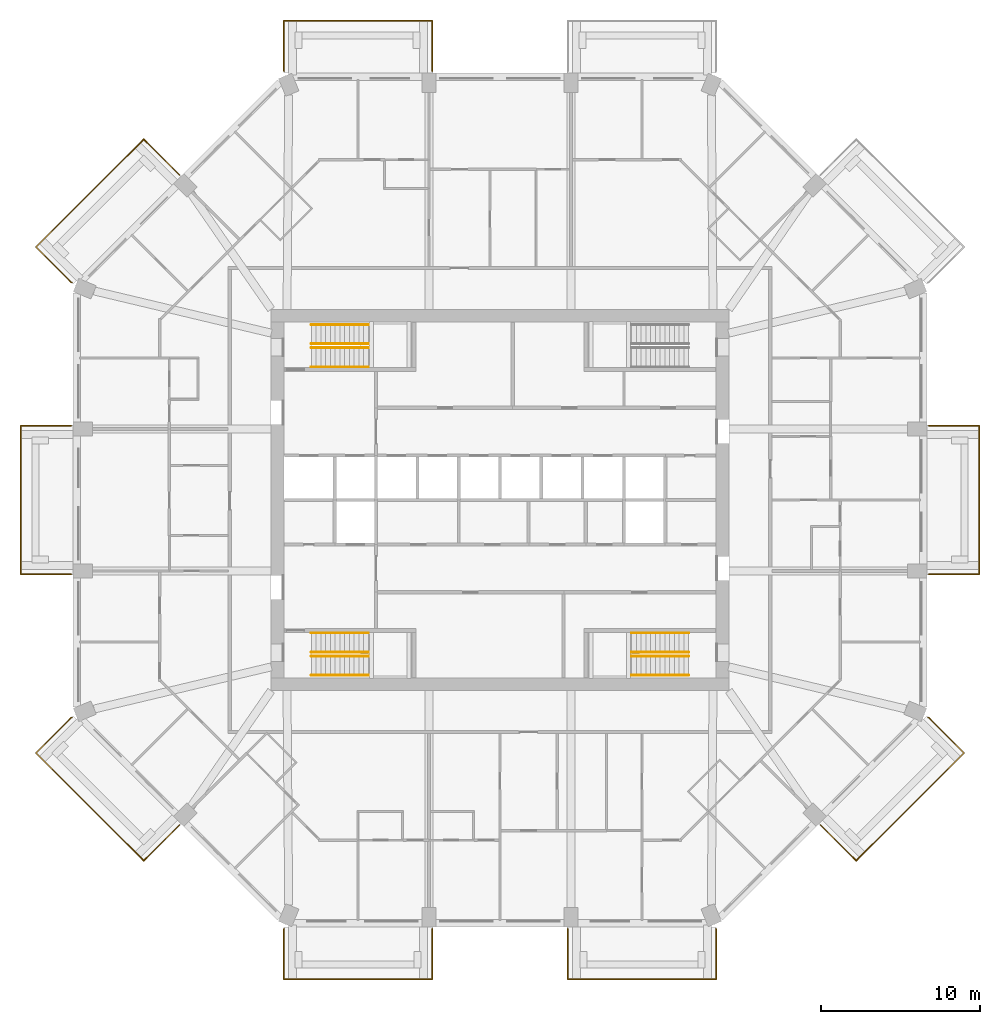
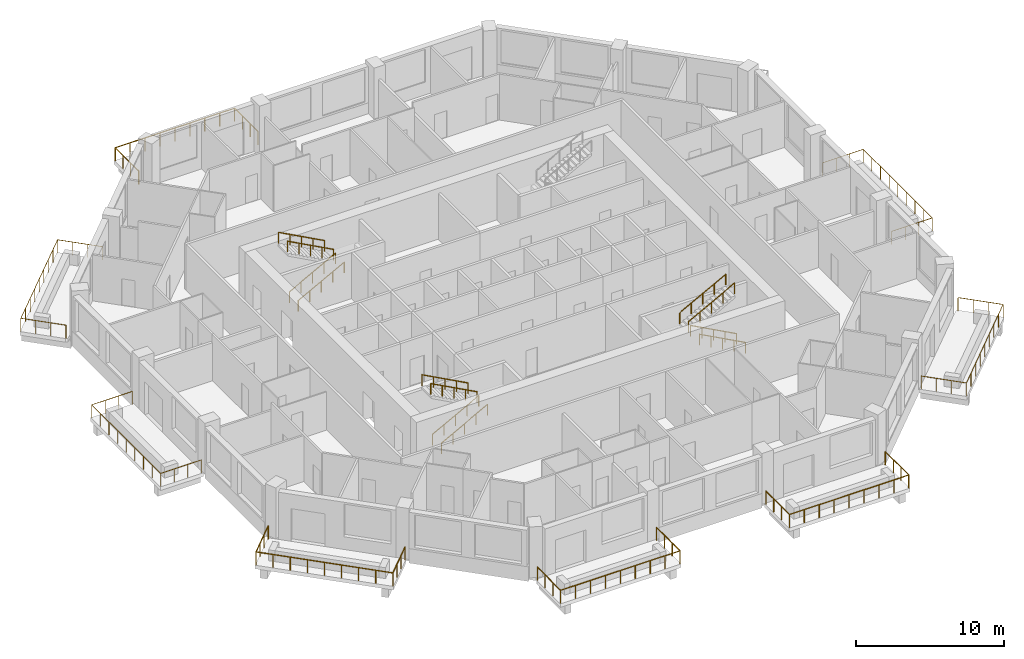
# One storey, part 12 of 13: 20 railings.
"""IFC4 building model written with IfcOpenShell, lengths in metres."""

from ifc_helpers import new_model, si_unit, direction, frame, origin, origin_2d, place, context, subcontext, project, spatial, circle, extrude, material, constituent, constituent_set, type_object, element, save


model = new_model("IFC4")

# Units and contexts
model_context = context("Model", 3, precision=1e-05, world=origin(), true_north=direction((0.0, 1.0)))
body_context = subcontext(model_context, "Body", "Model", "MODEL_VIEW")
ifc_project = project(units=[si_unit("LENGTHUNIT", "METRE"), si_unit("AREAUNIT", "SQUARE_METRE"), si_unit("VOLUMEUNIT", "CUBIC_METRE"), si_unit("PLANEANGLEUNIT", "RADIAN"), si_unit("MASSUNIT", "GRAM", prefix="KILO")], contexts=[model_context])

# Site, building, storey
site_placement = place(None, origin())
site = spatial("IfcSite", under=ifc_project, at=site_placement, CompositionType="ELEMENT")
building_placement = place(site_placement, origin())
building = spatial("IfcBuilding", under=site, at=building_placement, Name="Msitu Wima Residences", CompositionType="ELEMENT")
storey_placement = place(building_placement, frame((0.0, 0.0, 152.699951171875)))
storey = spatial("IfcBuildingStorey", under=building, at=storey_placement, Name="L35", CompositionType="ELEMENT", Elevation=152.699951171875)

# Railings
ifc_material_1 = material(Name="Steel S355", Category="steel")
ifc_constituent_1 = constituent(ifc_material_1, Name="Steel S355")
ifc_material_2 = material(Name="Weathering patina")
ifc_constituent_2 = constituent(ifc_material_2, Name="Weathering patina")
ifc_constituent_set_1 = constituent_set(constituents=[ifc_constituent_1, ifc_constituent_2], Name="Steel S355")
railing_type_1 = type_object("IfcRailingType", Name="Balcony guard GR1100", PredefinedType="GUARDRAIL", material=ifc_constituent_set_1)
railing_1_placement = place(storey_placement, frame((26.97998046875, 4.668701171875, 0.0)))
element("IfcRailing", 1, at=railing_1_placement, inside=storey, type_object=railing_type_1, Name="Balcony guard E1 L35", PredefinedType="GUARDRAIL", context=body_context, shape_type="SweptSolid", body=[
    extrude(circle(Radius=0.02392578125, at=origin_2d()), frame((0.0, 0.0, 1.076171875), z_axis=(1.0, 0.0, 0.0), x_axis=(0.0, 1.0, 0.0)), (0.0, 0.0, 1.0), 3.169921875),
    extrude(circle(Radius=0.02392578125, at=origin_2d()), frame((3.169921875, 0.0, 1.076171875), z_axis=(0.0, -1.0, 0.0), x_axis=(1.0, 0.0, 0.0)), (0.0, 0.0, 1.0), 9.33740234375),
    extrude(circle(Radius=0.02392578125, at=origin_2d()), frame((3.169921875, -9.33740234375, 1.076171875), z_axis=(-1.0, 0.0, 0.0), x_axis=(0.0, -1.0, 0.0)), (0.0, 0.0, 1.0), 3.169921875),
    extrude(circle(Radius=0.02099609375, at=origin_2d()), origin(), (0.0, 0.0, 1.0), 1.052001953125),
    extrude(circle(Radius=0.02099609375, at=origin_2d()), frame((1.056640625, 0.0, 0.0)), (0.0, 0.0, 1.0), 1.052001953125),
    extrude(circle(Radius=0.02099609375, at=origin_2d()), frame((2.11328125, 0.0, 0.0)), (0.0, 0.0, 1.0), 1.052001953125),
    extrude(circle(Radius=0.02099609375, at=origin_2d()), frame((3.169921875, 0.0, 0.0)), (0.0, 0.0, 1.0), 1.052001953125),
    extrude(circle(Radius=0.02099609375, at=origin_2d()), frame((3.169921875, -1.167236328125, 0.0)), (0.0, 0.0, 1.0), 1.052001953125),
    extrude(circle(Radius=0.02099609375, at=origin_2d()), frame((3.169921875, -2.33447265625, 0.0)), (0.0, 0.0, 1.0), 1.052001953125),
    extrude(circle(Radius=0.02099609375, at=origin_2d()), frame((3.169921875, -3.50146484375, 0.0)), (0.0, 0.0, 1.0), 1.052001953125),
    extrude(circle(Radius=0.02099609375, at=origin_2d()), frame((3.169921875, -4.668701171875, 0.0)), (0.0, 0.0, 1.0), 1.052001953125),
    extrude(circle(Radius=0.02099609375, at=origin_2d()), frame((3.169921875, -5.8359375, 0.0)), (0.0, 0.0, 1.0), 1.052001953125),
    extrude(circle(Radius=0.02099609375, at=origin_2d()), frame((3.169921875, -7.0029296875, 0.0)), (0.0, 0.0, 1.0), 1.052001953125),
    extrude(circle(Radius=0.02099609375, at=origin_2d()), frame((3.169921875, -8.170166015625, 0.0)), (0.0, 0.0, 1.0), 1.052001953125),
    extrude(circle(Radius=0.02099609375, at=origin_2d()), frame((3.169921875, -9.33740234375, 0.0)), (0.0, 0.0, 1.0), 1.052001953125),
    extrude(circle(Radius=0.02099609375, at=origin_2d()), frame((2.11328125, -9.33740234375, 0.0)), (0.0, 0.0, 1.0), 1.052001953125),
    extrude(circle(Radius=0.02099609375, at=origin_2d()), frame((1.056640625, -9.33740234375, 0.0)), (0.0, 0.0, 1.0), 1.052001953125),
    extrude(circle(Radius=0.02099609375, at=origin_2d()), frame((0.0, -9.33740234375, 0.0)), (0.0, 0.0, 1.0), 1.052001953125),
])
railing_2_placement = place(storey_placement, frame((-13.592041015625, 26.97998046875, 0.0)))
element("IfcRailing", 2, at=railing_2_placement, inside=storey, type_object=railing_type_1, Name="Balcony guard N2 L35", PredefinedType="GUARDRAIL", context=body_context, shape_type="SweptSolid", body=[
    extrude(circle(Radius=0.02392578125, at=origin_2d()), frame((0.0, 0.0, 1.076171875), z_axis=(-0.384136806859, 0.923276184907, 0.0), x_axis=(-0.923276184907, -0.384136806859, 0.0)), (0.0, 0.0, 1.0), 0.0361328125),
    extrude(circle(Radius=0.02392578125, at=origin_2d()), frame((-0.013916015625, 0.033447265625, 1.076171875), z_axis=(0.0, 1.0, 0.0), x_axis=(-1.0, 0.0, 0.0)), (0.0, 0.0, 1.0), 3.136474609375),
    extrude(circle(Radius=0.02392578125, at=origin_2d()), frame((-0.013916015625, 3.169921875, 1.076171875), z_axis=(1.0, 0.0, 0.0), x_axis=(0.0, 1.0, 0.0)), (0.0, 0.0, 1.0), 9.33740234375),
    extrude(circle(Radius=0.02392578125, at=origin_2d()), frame((9.323486328125, 3.169921875, 1.076171875), z_axis=(0.0, -1.0, 0.0), x_axis=(1.0, 0.0, 0.0)), (0.0, 0.0, 1.0), 3.169921875),
    extrude(circle(Radius=0.02099609375, at=origin_2d()), origin(), (0.0, 0.0, 1.0), 1.052001953125),
    extrude(circle(Radius=0.02099609375, at=origin_2d()), frame((-0.013916015625, 0.033447265625, 0.0)), (0.0, 0.0, 1.0), 1.052001953125),
    extrude(circle(Radius=0.02099609375, at=origin_2d()), frame((-0.013916015625, 1.078857421875, 0.0)), (0.0, 0.0, 1.0), 1.052001953125),
    extrude(circle(Radius=0.02099609375, at=origin_2d()), frame((-0.013916015625, 2.12451171875, 0.0)), (0.0, 0.0, 1.0), 1.052001953125),
    extrude(circle(Radius=0.02099609375, at=origin_2d()), frame((-0.013916015625, 3.169921875, 0.0)), (0.0, 0.0, 1.0), 1.052001953125),
    extrude(circle(Radius=0.02099609375, at=origin_2d()), frame((1.1533203125, 3.169921875, 0.0)), (0.0, 0.0, 1.0), 1.052001953125),
    extrude(circle(Radius=0.02099609375, at=origin_2d()), frame((2.3203125, 3.169921875, 0.0)), (0.0, 0.0, 1.0), 1.052001953125),
    extrude(circle(Radius=0.02099609375, at=origin_2d()), frame((3.487548828125, 3.169921875, 0.0)), (0.0, 0.0, 1.0), 1.052001953125),
    extrude(circle(Radius=0.02099609375, at=origin_2d()), frame((4.65478515625, 3.169921875, 0.0)), (0.0, 0.0, 1.0), 1.052001953125),
    extrude(circle(Radius=0.02099609375, at=origin_2d()), frame((5.822021484375, 3.169921875, 0.0)), (0.0, 0.0, 1.0), 1.052001953125),
    extrude(circle(Radius=0.02099609375, at=origin_2d()), frame((6.9892578125, 3.169921875, 0.0)), (0.0, 0.0, 1.0), 1.052001953125),
    extrude(circle(Radius=0.02099609375, at=origin_2d()), frame((8.15625, 3.169921875, 0.0)), (0.0, 0.0, 1.0), 1.052001953125),
    extrude(circle(Radius=0.02099609375, at=origin_2d()), frame((9.323486328125, 3.169921875, 0.0)), (0.0, 0.0, 1.0), 1.052001953125),
    extrude(circle(Radius=0.02099609375, at=origin_2d()), frame((9.323486328125, 2.11328125, 0.0)), (0.0, 0.0, 1.0), 1.052001953125),
    extrude(circle(Radius=0.02099609375, at=origin_2d()), frame((9.323486328125, 1.056640625, 0.0)), (0.0, 0.0, 1.0), 1.052001953125),
    extrude(circle(Radius=0.02099609375, at=origin_2d()), frame((9.323486328125, 0.0, 0.0)), (0.0, 0.0, 1.0), 1.052001953125),
])
railing_3_placement = place(storey_placement, frame((-26.941650390625, 13.684326171875, 0.0)))
element("IfcRailing", 3, at=railing_3_placement, inside=storey, type_object=railing_type_1, Name="Balcony guard NW1 L35", PredefinedType="GUARDRAIL", context=body_context, shape_type="SweptSolid", body=[
    extrude(circle(Radius=0.02392578125, at=origin_2d()), frame((0.0, 0.0, 1.076171875), z_axis=(-0.92426142649, 0.38176015442, 0.0), x_axis=(-0.38176015442, -0.92426142649, 0.0)), (0.0, 0.0, 1.0), 0.036376953125),
    extrude(circle(Radius=0.02392578125, at=origin_2d()), frame((-0.03369140625, 0.013916015625, 1.076171875), z_axis=(-0.707106781187, 0.707106781187, 0.0), x_axis=(-0.707106781187, -0.707106781187, 0.0)), (0.0, 0.0, 1.0), 3.136474609375),
    extrude(circle(Radius=0.02392578125, at=origin_2d()), frame((-2.25146484375, 2.231689453125, 1.076171875), z_axis=(0.707106781187, 0.707106781187, 0.0), x_axis=(-0.707106781187, 0.707106781187, 0.0)), (0.0, 0.0, 1.0), 9.58837890625),
    extrude(circle(Radius=0.02392578125, at=origin_2d()), frame((4.528564453125, 9.01171875, 1.076171875), z_axis=(0.707106781187, -0.707106781187, 0.0), x_axis=(0.707106781187, 0.707106781187, 0.0)), (0.0, 0.0, 1.0), 3.169921875),
    extrude(circle(Radius=0.02099609375, at=origin_2d()), origin(), (0.0, 0.0, 1.0), 1.052001953125),
    extrude(circle(Radius=0.02099609375, at=origin_2d()), frame((-0.03369140625, 0.013916015625, 0.0)), (0.0, 0.0, 1.0), 1.052001953125),
    extrude(circle(Radius=0.02099609375, at=origin_2d()), frame((-0.77294921875, 0.753173828125, 0.0)), (0.0, 0.0, 1.0), 1.052001953125),
    extrude(circle(Radius=0.02099609375, at=origin_2d()), frame((-1.51220703125, 1.492431640625, 0.0)), (0.0, 0.0, 1.0), 1.052001953125),
    extrude(circle(Radius=0.02099609375, at=origin_2d()), frame((-2.25146484375, 2.231689453125, 0.0)), (0.0, 0.0, 1.0), 1.052001953125),
    extrude(circle(Radius=0.02099609375, at=origin_2d()), frame((-1.404052734375, 3.0791015625, 0.0)), (0.0, 0.0, 1.0), 1.052001953125),
    extrude(circle(Radius=0.02099609375, at=origin_2d()), frame((-0.556396484375, 3.9267578125, 0.0)), (0.0, 0.0, 1.0), 1.052001953125),
    extrude(circle(Radius=0.02099609375, at=origin_2d()), frame((0.291015625, 4.774169921875, 0.0)), (0.0, 0.0, 1.0), 1.052001953125),
    extrude(circle(Radius=0.02099609375, at=origin_2d()), frame((1.138671875, 5.62158203125, 0.0)), (0.0, 0.0, 1.0), 1.052001953125),
    extrude(circle(Radius=0.02099609375, at=origin_2d()), frame((1.986083984375, 6.46923828125, 0.0)), (0.0, 0.0, 1.0), 1.052001953125),
    extrude(circle(Radius=0.02099609375, at=origin_2d()), frame((2.83349609375, 7.316650390625, 0.0)), (0.0, 0.0, 1.0), 1.052001953125),
    extrude(circle(Radius=0.02099609375, at=origin_2d()), frame((3.68115234375, 8.164306640625, 0.0)), (0.0, 0.0, 1.0), 1.052001953125),
    extrude(circle(Radius=0.02099609375, at=origin_2d()), frame((4.528564453125, 9.01171875, 0.0)), (0.0, 0.0, 1.0), 1.052001953125),
    extrude(circle(Radius=0.02099609375, at=origin_2d()), frame((5.275634765625, 8.2646484375, 0.0)), (0.0, 0.0, 1.0), 1.052001953125),
    extrude(circle(Radius=0.02099609375, at=origin_2d()), frame((6.02294921875, 7.517333984375, 0.0)), (0.0, 0.0, 1.0), 1.052001953125),
    extrude(circle(Radius=0.02099609375, at=origin_2d()), frame((6.77001953125, 6.770263671875, 0.0)), (0.0, 0.0, 1.0), 1.052001953125),
])
railing_4_placement = place(storey_placement, frame((-26.97998046875, -4.668701171875, 0.0)))
element("IfcRailing", 4, at=railing_4_placement, inside=storey, type_object=railing_type_1, Name="Balcony guard W1 L35", PredefinedType="GUARDRAIL", context=body_context, shape_type="SweptSolid", body=[
    extrude(circle(Radius=0.02392578125, at=origin_2d()), frame((0.0, 0.0, 1.076171875), z_axis=(-1.0, 0.0, 0.0), x_axis=(0.0, -1.0, 0.0)), (0.0, 0.0, 1.0), 3.169921875),
    extrude(circle(Radius=0.02392578125, at=origin_2d()), frame((-3.169921875, 0.0, 1.076171875), z_axis=(0.0, 1.0, 0.0), x_axis=(-1.0, 0.0, 0.0)), (0.0, 0.0, 1.0), 9.33740234375),
    extrude(circle(Radius=0.02392578125, at=origin_2d()), frame((-3.169921875, 9.33740234375, 1.076171875), z_axis=(1.0, 0.0, 0.0), x_axis=(0.0, 1.0, 0.0)), (0.0, 0.0, 1.0), 3.169921875),
    extrude(circle(Radius=0.02099609375, at=origin_2d()), origin(), (0.0, 0.0, 1.0), 1.052001953125),
    extrude(circle(Radius=0.02099609375, at=origin_2d()), frame((-1.056640625, 0.0, 0.0)), (0.0, 0.0, 1.0), 1.052001953125),
    extrude(circle(Radius=0.02099609375, at=origin_2d()), frame((-2.11328125, 0.0, 0.0)), (0.0, 0.0, 1.0), 1.052001953125),
    extrude(circle(Radius=0.02099609375, at=origin_2d()), frame((-3.169921875, 0.0, 0.0)), (0.0, 0.0, 1.0), 1.052001953125),
    extrude(circle(Radius=0.02099609375, at=origin_2d()), frame((-3.169921875, 1.167236328125, 0.0)), (0.0, 0.0, 1.0), 1.052001953125),
    extrude(circle(Radius=0.02099609375, at=origin_2d()), frame((-3.169921875, 2.33447265625, 0.0)), (0.0, 0.0, 1.0), 1.052001953125),
    extrude(circle(Radius=0.02099609375, at=origin_2d()), frame((-3.169921875, 3.50146484375, 0.0)), (0.0, 0.0, 1.0), 1.052001953125),
    extrude(circle(Radius=0.02099609375, at=origin_2d()), frame((-3.169921875, 4.668701171875, 0.0)), (0.0, 0.0, 1.0), 1.052001953125),
    extrude(circle(Radius=0.02099609375, at=origin_2d()), frame((-3.169921875, 5.8359375, 0.0)), (0.0, 0.0, 1.0), 1.052001953125),
    extrude(circle(Radius=0.02099609375, at=origin_2d()), frame((-3.169921875, 7.0029296875, 0.0)), (0.0, 0.0, 1.0), 1.052001953125),
    extrude(circle(Radius=0.02099609375, at=origin_2d()), frame((-3.169921875, 8.170166015625, 0.0)), (0.0, 0.0, 1.0), 1.052001953125),
    extrude(circle(Radius=0.02099609375, at=origin_2d()), frame((-3.169921875, 9.33740234375, 0.0)), (0.0, 0.0, 1.0), 1.052001953125),
    extrude(circle(Radius=0.02099609375, at=origin_2d()), frame((-2.11328125, 9.33740234375, 0.0)), (0.0, 0.0, 1.0), 1.052001953125),
    extrude(circle(Radius=0.02099609375, at=origin_2d()), frame((-1.056640625, 9.33740234375, 0.0)), (0.0, 0.0, 1.0), 1.052001953125),
    extrude(circle(Radius=0.02099609375, at=origin_2d()), frame((0.0, 9.33740234375, 0.0)), (0.0, 0.0, 1.0), 1.052001953125),
])
railing_5_placement = place(storey_placement, frame((-20.171630859375, -20.45458984375, 0.0)))
element("IfcRailing", 5, at=railing_5_placement, inside=storey, type_object=railing_type_1, Name="Balcony guard SW0 L35", PredefinedType="GUARDRAIL", context=body_context, shape_type="SweptSolid", body=[
    extrude(circle(Radius=0.02392578125, at=origin_2d()), frame((0.0, 0.0, 1.076171875), z_axis=(-0.707106781187, -0.707106781187, 0.0), x_axis=(0.707106781187, -0.707106781187, 0.0)), (0.0, 0.0, 1.0), 3.169921875),
    extrude(circle(Radius=0.02392578125, at=origin_2d()), frame((-2.241455078125, -2.241455078125, 1.076171875), z_axis=(-0.707106781187, 0.707106781187, 0.0), x_axis=(-0.707106781187, -0.707106781187, 0.0)), (0.0, 0.0, 1.0), 9.58837890625),
    extrude(circle(Radius=0.02392578125, at=origin_2d()), frame((-9.021484375, 4.53857421875, 1.076171875), z_axis=(0.707106781187, 0.707106781187, 0.0), x_axis=(-0.707106781187, 0.707106781187, 0.0)), (0.0, 0.0, 1.0), 3.136474609375),
    extrude(circle(Radius=0.02392578125, at=origin_2d()), frame((-6.8037109375, 6.75634765625, 1.076171875), z_axis=(0.92426142649, 0.38176015442, 0.0), x_axis=(-0.38176015442, 0.92426142649, 0.0)), (0.0, 0.0, 1.0), 0.036376953125),
    extrude(circle(Radius=0.02099609375, at=origin_2d()), origin(), (0.0, 0.0, 1.0), 1.052001953125),
    extrude(circle(Radius=0.02099609375, at=origin_2d()), frame((-0.7470703125, -0.7470703125, 0.0)), (0.0, 0.0, 1.0), 1.052001953125),
    extrude(circle(Radius=0.02099609375, at=origin_2d()), frame((-1.494384765625, -1.494384765625, 0.0)), (0.0, 0.0, 1.0), 1.052001953125),
    extrude(circle(Radius=0.02099609375, at=origin_2d()), frame((-2.241455078125, -2.241455078125, 0.0)), (0.0, 0.0, 1.0), 1.052001953125),
    extrude(circle(Radius=0.02099609375, at=origin_2d()), frame((-3.0888671875, -1.39404296875, 0.0)), (0.0, 0.0, 1.0), 1.052001953125),
    extrude(circle(Radius=0.02099609375, at=origin_2d()), frame((-3.9365234375, -0.54638671875, 0.0)), (0.0, 0.0, 1.0), 1.052001953125),
    extrude(circle(Radius=0.02099609375, at=origin_2d()), frame((-4.783935546875, 0.301025390625, 0.0)), (0.0, 0.0, 1.0), 1.052001953125),
    extrude(circle(Radius=0.02099609375, at=origin_2d()), frame((-5.63134765625, 1.1484375, 0.0)), (0.0, 0.0, 1.0), 1.052001953125),
    extrude(circle(Radius=0.02099609375, at=origin_2d()), frame((-6.47900390625, 1.99609375, 0.0)), (0.0, 0.0, 1.0), 1.052001953125),
    extrude(circle(Radius=0.02099609375, at=origin_2d()), frame((-7.326416015625, 2.843505859375, 0.0)), (0.0, 0.0, 1.0), 1.052001953125),
    extrude(circle(Radius=0.02099609375, at=origin_2d()), frame((-8.174072265625, 3.691162109375, 0.0)), (0.0, 0.0, 1.0), 1.052001953125),
    extrude(circle(Radius=0.02099609375, at=origin_2d()), frame((-9.021484375, 4.53857421875, 0.0)), (0.0, 0.0, 1.0), 1.052001953125),
    extrude(circle(Radius=0.02099609375, at=origin_2d()), frame((-8.2822265625, 5.27783203125, 0.0)), (0.0, 0.0, 1.0), 1.052001953125),
    extrude(circle(Radius=0.02099609375, at=origin_2d()), frame((-7.54296875, 6.01708984375, 0.0)), (0.0, 0.0, 1.0), 1.052001953125),
    extrude(circle(Radius=0.02099609375, at=origin_2d()), frame((-6.8037109375, 6.75634765625, 0.0)), (0.0, 0.0, 1.0), 1.052001953125),
    extrude(circle(Radius=0.02099609375, at=origin_2d()), frame((-6.77001953125, 6.770263671875, 0.0)), (0.0, 0.0, 1.0), 1.052001953125),
])
railing_6_placement = place(storey_placement, frame((-4.2685546875, -26.97998046875, 0.0)))
element("IfcRailing", 6, at=railing_6_placement, inside=storey, type_object=railing_type_1, Name="Balcony guard S0 L35", PredefinedType="GUARDRAIL", context=body_context, shape_type="SweptSolid", body=[
    extrude(circle(Radius=0.02392578125, at=origin_2d()), frame((0.0, 0.0, 1.076171875), z_axis=(0.0, -1.0, 0.0), x_axis=(1.0, 0.0, 0.0)), (0.0, 0.0, 1.0), 3.169921875),
    extrude(circle(Radius=0.02392578125, at=origin_2d()), frame((0.0, -3.169921875, 1.076171875), z_axis=(-1.0, 0.0, 0.0), x_axis=(0.0, -1.0, 0.0)), (0.0, 0.0, 1.0), 9.33740234375),
    extrude(circle(Radius=0.02392578125, at=origin_2d()), frame((-9.33740234375, -3.169921875, 1.076171875), z_axis=(0.0, 1.0, 0.0), x_axis=(-1.0, 0.0, 0.0)), (0.0, 0.0, 1.0), 3.136474609375),
    extrude(circle(Radius=0.02392578125, at=origin_2d()), frame((-9.33740234375, -0.033447265625, 1.076171875), z_axis=(0.384136806859, 0.923276184907, 0.0), x_axis=(-0.923276184907, 0.384136806859, 0.0)), (0.0, 0.0, 1.0), 0.0361328125),
    extrude(circle(Radius=0.02099609375, at=origin_2d()), origin(), (0.0, 0.0, 1.0), 1.052001953125),
    extrude(circle(Radius=0.02099609375, at=origin_2d()), frame((0.0, -1.056640625, 0.0)), (0.0, 0.0, 1.0), 1.052001953125),
    extrude(circle(Radius=0.02099609375, at=origin_2d()), frame((0.0, -2.11328125, 0.0)), (0.0, 0.0, 1.0), 1.052001953125),
    extrude(circle(Radius=0.02099609375, at=origin_2d()), frame((0.0, -3.169921875, 0.0)), (0.0, 0.0, 1.0), 1.052001953125),
    extrude(circle(Radius=0.02099609375, at=origin_2d()), frame((-1.167236328125, -3.169921875, 0.0)), (0.0, 0.0, 1.0), 1.052001953125),
    extrude(circle(Radius=0.02099609375, at=origin_2d()), frame((-2.33447265625, -3.169921875, 0.0)), (0.0, 0.0, 1.0), 1.052001953125),
    extrude(circle(Radius=0.02099609375, at=origin_2d()), frame((-3.50146484375, -3.169921875, 0.0)), (0.0, 0.0, 1.0), 1.052001953125),
    extrude(circle(Radius=0.02099609375, at=origin_2d()), frame((-4.668701171875, -3.169921875, 0.0)), (0.0, 0.0, 1.0), 1.052001953125),
    extrude(circle(Radius=0.02099609375, at=origin_2d()), frame((-5.8359375, -3.169921875, 0.0)), (0.0, 0.0, 1.0), 1.052001953125),
    extrude(circle(Radius=0.02099609375, at=origin_2d()), frame((-7.0029296875, -3.169921875, 0.0)), (0.0, 0.0, 1.0), 1.052001953125),
    extrude(circle(Radius=0.02099609375, at=origin_2d()), frame((-8.170166015625, -3.169921875, 0.0)), (0.0, 0.0, 1.0), 1.052001953125),
    extrude(circle(Radius=0.02099609375, at=origin_2d()), frame((-9.33740234375, -3.169921875, 0.0)), (0.0, 0.0, 1.0), 1.052001953125),
    extrude(circle(Radius=0.02099609375, at=origin_2d()), frame((-9.33740234375, -2.12451171875, 0.0)), (0.0, 0.0, 1.0), 1.052001953125),
    extrude(circle(Radius=0.02099609375, at=origin_2d()), frame((-9.33740234375, -1.078857421875, 0.0)), (0.0, 0.0, 1.0), 1.052001953125),
    extrude(circle(Radius=0.02099609375, at=origin_2d()), frame((-9.33740234375, -0.033447265625, 0.0)), (0.0, 0.0, 1.0), 1.052001953125),
    extrude(circle(Radius=0.02099609375, at=origin_2d()), frame((-9.323486328125, 0.0, 0.0)), (0.0, 0.0, 1.0), 1.052001953125),
])
railing_7_placement = place(storey_placement, frame((13.592041015625, -26.97998046875, 0.0)))
element("IfcRailing", 7, at=railing_7_placement, inside=storey, type_object=railing_type_1, Name="Balcony guard S2 L35", PredefinedType="GUARDRAIL", context=body_context, shape_type="SweptSolid", body=[
    extrude(circle(Radius=0.02392578125, at=origin_2d()), frame((0.0, 0.0, 1.076171875), z_axis=(0.384136806859, -0.923276184907, 0.0), x_axis=(0.923276184907, 0.384136806859, 0.0)), (0.0, 0.0, 1.0), 0.0361328125),
    extrude(circle(Radius=0.02392578125, at=origin_2d()), frame((0.013916015625, -0.033447265625, 1.076171875), z_axis=(0.0, -1.0, 0.0), x_axis=(1.0, 0.0, 0.0)), (0.0, 0.0, 1.0), 3.136474609375),
    extrude(circle(Radius=0.02392578125, at=origin_2d()), frame((0.013916015625, -3.169921875, 1.076171875), z_axis=(-1.0, 0.0, 0.0), x_axis=(0.0, -1.0, 0.0)), (0.0, 0.0, 1.0), 9.33740234375),
    extrude(circle(Radius=0.02392578125, at=origin_2d()), frame((-9.323486328125, -3.169921875, 1.076171875), z_axis=(0.0, 1.0, 0.0), x_axis=(-1.0, 0.0, 0.0)), (0.0, 0.0, 1.0), 3.169921875),
    extrude(circle(Radius=0.02099609375, at=origin_2d()), origin(), (0.0, 0.0, 1.0), 1.052001953125),
    extrude(circle(Radius=0.02099609375, at=origin_2d()), frame((0.013916015625, -0.033447265625, 0.0)), (0.0, 0.0, 1.0), 1.052001953125),
    extrude(circle(Radius=0.02099609375, at=origin_2d()), frame((0.013916015625, -1.078857421875, 0.0)), (0.0, 0.0, 1.0), 1.052001953125),
    extrude(circle(Radius=0.02099609375, at=origin_2d()), frame((0.013916015625, -2.12451171875, 0.0)), (0.0, 0.0, 1.0), 1.052001953125),
    extrude(circle(Radius=0.02099609375, at=origin_2d()), frame((0.013916015625, -3.169921875, 0.0)), (0.0, 0.0, 1.0), 1.052001953125),
    extrude(circle(Radius=0.02099609375, at=origin_2d()), frame((-1.1533203125, -3.169921875, 0.0)), (0.0, 0.0, 1.0), 1.052001953125),
    extrude(circle(Radius=0.02099609375, at=origin_2d()), frame((-2.3203125, -3.169921875, 0.0)), (0.0, 0.0, 1.0), 1.052001953125),
    extrude(circle(Radius=0.02099609375, at=origin_2d()), frame((-3.487548828125, -3.169921875, 0.0)), (0.0, 0.0, 1.0), 1.052001953125),
    extrude(circle(Radius=0.02099609375, at=origin_2d()), frame((-4.65478515625, -3.169921875, 0.0)), (0.0, 0.0, 1.0), 1.052001953125),
    extrude(circle(Radius=0.02099609375, at=origin_2d()), frame((-5.822021484375, -3.169921875, 0.0)), (0.0, 0.0, 1.0), 1.052001953125),
    extrude(circle(Radius=0.02099609375, at=origin_2d()), frame((-6.9892578125, -3.169921875, 0.0)), (0.0, 0.0, 1.0), 1.052001953125),
    extrude(circle(Radius=0.02099609375, at=origin_2d()), frame((-8.15625, -3.169921875, 0.0)), (0.0, 0.0, 1.0), 1.052001953125),
    extrude(circle(Radius=0.02099609375, at=origin_2d()), frame((-9.323486328125, -3.169921875, 0.0)), (0.0, 0.0, 1.0), 1.052001953125),
    extrude(circle(Radius=0.02099609375, at=origin_2d()), frame((-9.323486328125, -2.11328125, 0.0)), (0.0, 0.0, 1.0), 1.052001953125),
    extrude(circle(Radius=0.02099609375, at=origin_2d()), frame((-9.323486328125, -1.056640625, 0.0)), (0.0, 0.0, 1.0), 1.052001953125),
    extrude(circle(Radius=0.02099609375, at=origin_2d()), frame((-9.323486328125, 0.0, 0.0)), (0.0, 0.0, 1.0), 1.052001953125),
])
railing_8_placement = place(storey_placement, frame((26.941650390625, -13.684326171875, 0.0)))
element("IfcRailing", 8, at=railing_8_placement, inside=storey, type_object=railing_type_1, Name="Balcony guard SE1 L35", PredefinedType="GUARDRAIL", context=body_context, shape_type="SweptSolid", body=[
    extrude(circle(Radius=0.02392578125, at=origin_2d()), frame((0.0, 0.0, 1.076171875), z_axis=(0.92426142649, -0.38176015442, 0.0), x_axis=(0.38176015442, 0.92426142649, 0.0)), (0.0, 0.0, 1.0), 0.036376953125),
    extrude(circle(Radius=0.02392578125, at=origin_2d()), frame((0.03369140625, -0.013916015625, 1.076171875), z_axis=(0.707106781187, -0.707106781187, 0.0), x_axis=(0.707106781187, 0.707106781187, 0.0)), (0.0, 0.0, 1.0), 3.136474609375),
    extrude(circle(Radius=0.02392578125, at=origin_2d()), frame((2.25146484375, -2.231689453125, 1.076171875), z_axis=(-0.707106781187, -0.707106781187, 0.0), x_axis=(0.707106781187, -0.707106781187, 0.0)), (0.0, 0.0, 1.0), 9.58837890625),
    extrude(circle(Radius=0.02392578125, at=origin_2d()), frame((-4.528564453125, -9.01171875, 1.076171875), z_axis=(-0.707106781187, 0.707106781187, 0.0), x_axis=(-0.707106781187, -0.707106781187, 0.0)), (0.0, 0.0, 1.0), 3.169921875),
    extrude(circle(Radius=0.02099609375, at=origin_2d()), origin(), (0.0, 0.0, 1.0), 1.052001953125),
    extrude(circle(Radius=0.02099609375, at=origin_2d()), frame((0.03369140625, -0.013916015625, 0.0)), (0.0, 0.0, 1.0), 1.052001953125),
    extrude(circle(Radius=0.02099609375, at=origin_2d()), frame((0.77294921875, -0.753173828125, 0.0)), (0.0, 0.0, 1.0), 1.052001953125),
    extrude(circle(Radius=0.02099609375, at=origin_2d()), frame((1.51220703125, -1.492431640625, 0.0)), (0.0, 0.0, 1.0), 1.052001953125),
    extrude(circle(Radius=0.02099609375, at=origin_2d()), frame((2.25146484375, -2.231689453125, 0.0)), (0.0, 0.0, 1.0), 1.052001953125),
    extrude(circle(Radius=0.02099609375, at=origin_2d()), frame((1.404052734375, -3.0791015625, 0.0)), (0.0, 0.0, 1.0), 1.052001953125),
    extrude(circle(Radius=0.02099609375, at=origin_2d()), frame((0.556396484375, -3.9267578125, 0.0)), (0.0, 0.0, 1.0), 1.052001953125),
    extrude(circle(Radius=0.02099609375, at=origin_2d()), frame((-0.291015625, -4.774169921875, 0.0)), (0.0, 0.0, 1.0), 1.052001953125),
    extrude(circle(Radius=0.02099609375, at=origin_2d()), frame((-1.138671875, -5.62158203125, 0.0)), (0.0, 0.0, 1.0), 1.052001953125),
    extrude(circle(Radius=0.02099609375, at=origin_2d()), frame((-1.986083984375, -6.46923828125, 0.0)), (0.0, 0.0, 1.0), 1.052001953125),
    extrude(circle(Radius=0.02099609375, at=origin_2d()), frame((-2.83349609375, -7.316650390625, 0.0)), (0.0, 0.0, 1.0), 1.052001953125),
    extrude(circle(Radius=0.02099609375, at=origin_2d()), frame((-3.68115234375, -8.164306640625, 0.0)), (0.0, 0.0, 1.0), 1.052001953125),
    extrude(circle(Radius=0.02099609375, at=origin_2d()), frame((-4.528564453125, -9.01171875, 0.0)), (0.0, 0.0, 1.0), 1.052001953125),
    extrude(circle(Radius=0.02099609375, at=origin_2d()), frame((-5.275634765625, -8.2646484375, 0.0)), (0.0, 0.0, 1.0), 1.052001953125),
    extrude(circle(Radius=0.02099609375, at=origin_2d()), frame((-6.02294921875, -7.517333984375, 0.0)), (0.0, 0.0, 1.0), 1.052001953125),
    extrude(circle(Radius=0.02099609375, at=origin_2d()), frame((-6.77001953125, -6.770263671875, 0.0)), (0.0, 0.0, 1.0), 1.052001953125),
])
ifc_constituent_3 = constituent(ifc_material_1, Name="Steel S355")
ifc_material_3 = material(Name="Black powder coating")
ifc_constituent_4 = constituent(ifc_material_3, Name="Black powder coating")
ifc_constituent_set_2 = constituent_set(constituents=[ifc_constituent_3, ifc_constituent_4], Name="Steel S355")
railing_type_2 = type_object("IfcRailingType", Name="Stair handrail HR1", PredefinedType="HANDRAIL", material=ifc_constituent_set_2)
for number, where, name in (
    (9, (-11.875, 8.375, 0.16162109375), "Stair 1 handrail"),
    (10, (-11.875, 9.574951171875, 0.16162109375), "Stair 1 handrail"),
):
    element("IfcRailing", number, at=place(storey_placement, frame(where)), inside=storey, type_object=railing_type_2, Name=name, PredefinedType="HANDRAIL", context=body_context, shape_type="SweptSolid", body=[
        extrude(circle(Radius=0.02392578125, at=origin_2d()), frame((0.0, 0.0, 0.8759765625), z_axis=(0.880474934443, 0.0, 0.474092701714), x_axis=(0.0, 1.0, 0.0)), (0.0, 0.0, 1.0), 4.0888671875),
        extrude(circle(Radius=0.02099609375, at=origin_2d()), origin(), (0.0, 0.0, 1.0), 0.851806640625),
        extrude(circle(Radius=0.02099609375, at=origin_2d()), frame((0.89990234375, 0.0, 0.484619140625)), (0.0, 0.0, 1.0), 0.851806640625),
        extrude(circle(Radius=0.02099609375, at=origin_2d()), frame((1.800048828125, 0.0, 0.96923828125)), (0.0, 0.0, 1.0), 0.851806640625),
        extrude(circle(Radius=0.02099609375, at=origin_2d()), frame((2.7001953125, 0.0, 1.453857421875)), (0.0, 0.0, 1.0), 0.851806640625),
        extrude(circle(Radius=0.02099609375, at=origin_2d()), frame((3.60009765625, 0.0, 1.9384765625)), (0.0, 0.0, 1.0), 0.851806640625),
    ])
for number, where, name in (
    (11, (-8.27490234375, 9.824951171875, 2.261474609375), "Stair 1 handrail"),
    (12, (-8.27490234375, 11.02490234375, 2.261474609375), "Stair 1 handrail"),
):
    element("IfcRailing", number, at=place(storey_placement, frame(where)), inside=storey, type_object=railing_type_2, Name=name, PredefinedType="HANDRAIL", context=body_context, shape_type="SweptSolid", body=[
        extrude(circle(Radius=0.02392578125, at=origin_2d()), frame((0.0, 0.0, 0.8759765625), z_axis=(-0.880474934443, 0.0, 0.474092701714), x_axis=(0.0, -1.0, 0.0)), (0.0, 0.0, 1.0), 4.0888671875),
        extrude(circle(Radius=0.02099609375, at=origin_2d()), origin(), (0.0, 0.0, 1.0), 0.851806640625),
        extrude(circle(Radius=0.02099609375, at=origin_2d()), frame((-0.89990234375, 0.0, 0.484619140625)), (0.0, 0.0, 1.0), 0.851806640625),
        extrude(circle(Radius=0.02099609375, at=origin_2d()), frame((-1.800048828125, 0.0, 0.96923828125)), (0.0, 0.0, 1.0), 0.851806640625),
        extrude(circle(Radius=0.02099609375, at=origin_2d()), frame((-2.7001953125, 0.0, 1.453857421875)), (0.0, 0.0, 1.0), 0.851806640625),
        extrude(circle(Radius=0.02099609375, at=origin_2d()), frame((-3.60009765625, 0.0, 1.9384765625)), (0.0, 0.0, 1.0), 0.851806640625),
    ])
for number, where, name in (
    (13, (-11.875, -11.02490234375, 0.16162109375), "Stair 2 handrail"),
    (14, (-11.875, -9.824951171875, 0.16162109375), "Stair 2 handrail"),
):
    element("IfcRailing", number, at=place(storey_placement, frame(where)), inside=storey, type_object=railing_type_2, Name=name, PredefinedType="HANDRAIL", context=body_context, shape_type="SweptSolid", body=[
        extrude(circle(Radius=0.02392578125, at=origin_2d()), frame((0.0, 0.0, 0.8759765625), z_axis=(0.880474934443, 0.0, 0.474092701714), x_axis=(0.0, 1.0, 0.0)), (0.0, 0.0, 1.0), 4.0888671875),
        extrude(circle(Radius=0.02099609375, at=origin_2d()), origin(), (0.0, 0.0, 1.0), 0.851806640625),
        extrude(circle(Radius=0.02099609375, at=origin_2d()), frame((0.89990234375, 0.0, 0.484619140625)), (0.0, 0.0, 1.0), 0.851806640625),
        extrude(circle(Radius=0.02099609375, at=origin_2d()), frame((1.800048828125, 0.0, 0.96923828125)), (0.0, 0.0, 1.0), 0.851806640625),
        extrude(circle(Radius=0.02099609375, at=origin_2d()), frame((2.7001953125, 0.0, 1.453857421875)), (0.0, 0.0, 1.0), 0.851806640625),
        extrude(circle(Radius=0.02099609375, at=origin_2d()), frame((3.60009765625, 0.0, 1.9384765625)), (0.0, 0.0, 1.0), 0.851806640625),
    ])
for number, where, name in (
    (15, (-8.27490234375, -9.574951171875, 2.261474609375), "Stair 2 handrail"),
    (16, (-8.27490234375, -8.375, 2.261474609375), "Stair 2 handrail"),
    (17, (11.875, -11.02490234375, 0.16162109375), "Stair 4 handrail"),
    (18, (11.875, -9.824951171875, 0.16162109375), "Stair 4 handrail"),
):
    element("IfcRailing", number, at=place(storey_placement, frame(where)), inside=storey, type_object=railing_type_2, Name=name, PredefinedType="HANDRAIL", context=body_context, shape_type="SweptSolid", body=[
        extrude(circle(Radius=0.02392578125, at=origin_2d()), frame((0.0, 0.0, 0.8759765625), z_axis=(-0.880474934443, 0.0, 0.474092701714), x_axis=(0.0, -1.0, 0.0)), (0.0, 0.0, 1.0), 4.0888671875),
        extrude(circle(Radius=0.02099609375, at=origin_2d()), origin(), (0.0, 0.0, 1.0), 0.851806640625),
        extrude(circle(Radius=0.02099609375, at=origin_2d()), frame((-0.89990234375, 0.0, 0.484619140625)), (0.0, 0.0, 1.0), 0.851806640625),
        extrude(circle(Radius=0.02099609375, at=origin_2d()), frame((-1.800048828125, 0.0, 0.96923828125)), (0.0, 0.0, 1.0), 0.851806640625),
        extrude(circle(Radius=0.02099609375, at=origin_2d()), frame((-2.7001953125, 0.0, 1.453857421875)), (0.0, 0.0, 1.0), 0.851806640625),
        extrude(circle(Radius=0.02099609375, at=origin_2d()), frame((-3.60009765625, 0.0, 1.9384765625)), (0.0, 0.0, 1.0), 0.851806640625),
    ])
for number, where, name in (
    (19, (8.27490234375, -9.574951171875, 2.261474609375), "Stair 4 handrail"),
    (20, (8.27490234375, -8.375, 2.261474609375), "Stair 4 handrail"),
):
    element("IfcRailing", number, at=place(storey_placement, frame(where)), inside=storey, type_object=railing_type_2, Name=name, PredefinedType="HANDRAIL", context=body_context, shape_type="SweptSolid", body=[
        extrude(circle(Radius=0.02392578125, at=origin_2d()), frame((0.0, 0.0, 0.8759765625), z_axis=(0.880474934443, 0.0, 0.474092701714), x_axis=(0.0, 1.0, 0.0)), (0.0, 0.0, 1.0), 4.0888671875),
        extrude(circle(Radius=0.02099609375, at=origin_2d()), origin(), (0.0, 0.0, 1.0), 0.851806640625),
        extrude(circle(Radius=0.02099609375, at=origin_2d()), frame((0.89990234375, 0.0, 0.484619140625)), (0.0, 0.0, 1.0), 0.851806640625),
        extrude(circle(Radius=0.02099609375, at=origin_2d()), frame((1.800048828125, 0.0, 0.96923828125)), (0.0, 0.0, 1.0), 0.851806640625),
        extrude(circle(Radius=0.02099609375, at=origin_2d()), frame((2.7001953125, 0.0, 1.453857421875)), (0.0, 0.0, 1.0), 0.851806640625),
        extrude(circle(Radius=0.02099609375, at=origin_2d()), frame((3.60009765625, 0.0, 1.9384765625)), (0.0, 0.0, 1.0), 0.851806640625),
    ])

save(model, "model.ifc")
